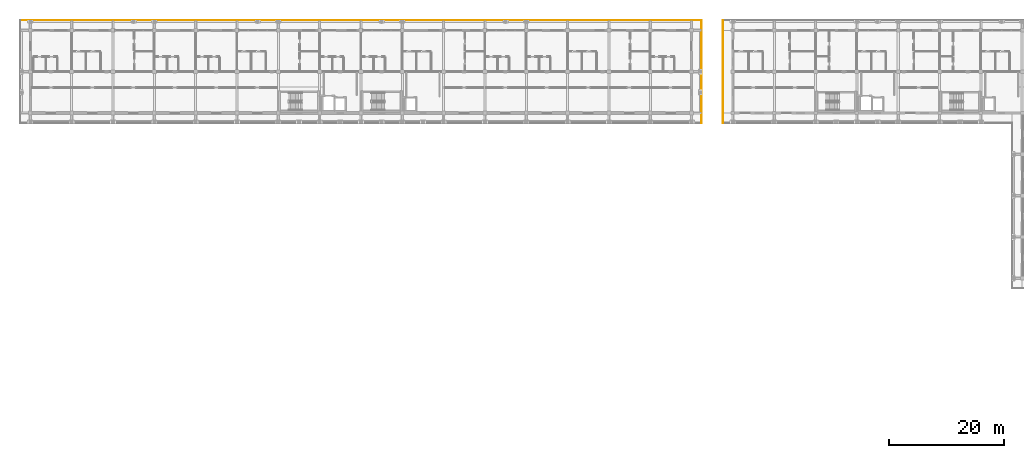
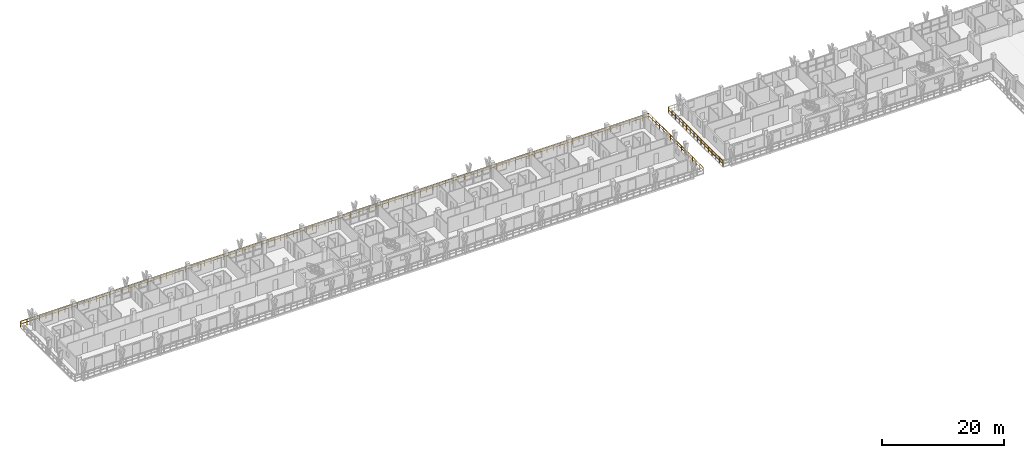
# One storey, part 69 of 76: 3 railings.
"""IFC4 building model written with IfcOpenShell, lengths in metres."""

from ifc_helpers import new_model, si_unit, direction, frame, origin, origin_2d, place, context, subcontext, project, spatial, rectangle, extrude, material, type_object, element, save


model = new_model("IFC4")

# Units and contexts
model_context = context("Model", 3, precision=1e-05, world=origin(), true_north=direction((0.0, 1.0)))
body_context = subcontext(model_context, "Body", "Model", "MODEL_VIEW")
ifc_project = project(units=[si_unit("LENGTHUNIT", "METRE"), si_unit("AREAUNIT", "SQUARE_METRE"), si_unit("VOLUMEUNIT", "CUBIC_METRE"), si_unit("PLANEANGLEUNIT", "RADIAN"), si_unit("MASSUNIT", "GRAM", prefix="KILO")], contexts=[model_context])

# Site, building, storey
site_placement = place(None, origin())
site = spatial("IfcSite", under=ifc_project, at=site_placement, CompositionType="ELEMENT")
building_placement = place(site_placement, origin())
building = spatial("IfcBuilding", under=site, at=building_placement, Name="Suanplinth Sawtooth Commons", CompositionType="ELEMENT")
storey_placement = place(building_placement, frame((0.0, 0.0, 12.199951171875)))
storey = spatial("IfcBuildingStorey", under=building, at=storey_placement, Name="L03", CompositionType="ELEMENT", Elevation=12.199951171875)

# Railings
ifc_material = material(Name="Powder-coated galvanized steel", Category="steel")
railing_type = type_object("IfcRailingType", Name="GR-01", PredefinedType="BALUSTRADE", material=ifc_material)
railing_1_placement = place(storey_placement, frame((-1.739990234375, 124.139892578125, 0.0)))
element("IfcRailing", 1, at=railing_1_placement, inside=storey, type_object=railing_type, Name="L03 Block A Perimeter Balustrade 2", PredefinedType="BALUSTRADE", context=body_context, shape_type="SweptSolid", body=[
    extrude(rectangle(XDim=0.048095703125, YDim=0.048095703125, at=origin_2d()), frame((0.0, 0.0, 1.09619140625), z_axis=(1.0, 0.0, 0.0), x_axis=(0.0, 1.0, 0.0)), (0.0, 0.0, 1.0), 118.679931640625),
    extrude(rectangle(XDim=0.03369140625, YDim=0.03369140625, at=origin_2d()), frame((0.0, 0.0, 0.56005859375), z_axis=(1.0, 0.0, 0.0), x_axis=(0.0, 1.0, 0.0)), (0.0, 0.0, 1.0), 118.679931640625),
    extrude(rectangle(XDim=0.0419921875, YDim=0.0419921875, at=origin_2d()), origin(), (0.0, 0.0, 1.0), 1.072021484375),
    extrude(rectangle(XDim=0.0419921875, YDim=0.0419921875, at=origin_2d()), frame((1.19873046875, 0.0, 0.0)), (0.0, 0.0, 1.0), 1.072021484375),
    extrude(rectangle(XDim=0.0419921875, YDim=0.0419921875, at=origin_2d()), frame((2.3974609375, 0.0, 0.0)), (0.0, 0.0, 1.0), 1.072021484375),
    extrude(rectangle(XDim=0.0419921875, YDim=0.0419921875, at=origin_2d()), frame((3.596435546875, 0.0, 0.0)), (0.0, 0.0, 1.0), 1.072021484375),
    extrude(rectangle(XDim=0.0419921875, YDim=0.0419921875, at=origin_2d()), frame((4.795166015625, 0.0, 0.0)), (0.0, 0.0, 1.0), 1.072021484375),
    extrude(rectangle(XDim=0.0419921875, YDim=0.0419921875, at=origin_2d()), frame((5.993896484375, 0.0, 0.0)), (0.0, 0.0, 1.0), 1.072021484375),
    extrude(rectangle(XDim=0.0419921875, YDim=0.0419921875, at=origin_2d()), frame((7.192626953125, 0.0, 0.0)), (0.0, 0.0, 1.0), 1.072021484375),
    extrude(rectangle(XDim=0.0419921875, YDim=0.0419921875, at=origin_2d()), frame((8.3916015625, 0.0, 0.0)), (0.0, 0.0, 1.0), 1.072021484375),
    extrude(rectangle(XDim=0.0419921875, YDim=0.0419921875, at=origin_2d()), frame((9.59033203125, 0.0, 0.0)), (0.0, 0.0, 1.0), 1.072021484375),
    extrude(rectangle(XDim=0.0419921875, YDim=0.0419921875, at=origin_2d()), frame((10.7890625, 0.0, 0.0)), (0.0, 0.0, 1.0), 1.072021484375),
    extrude(rectangle(XDim=0.0419921875, YDim=0.0419921875, at=origin_2d()), frame((11.98779296875, 0.0, 0.0)), (0.0, 0.0, 1.0), 1.072021484375),
    extrude(rectangle(XDim=0.0419921875, YDim=0.0419921875, at=origin_2d()), frame((13.186767578125, 0.0, 0.0)), (0.0, 0.0, 1.0), 1.072021484375),
    extrude(rectangle(XDim=0.0419921875, YDim=0.0419921875, at=origin_2d()), frame((14.385498046875, 0.0, 0.0)), (0.0, 0.0, 1.0), 1.072021484375),
    extrude(rectangle(XDim=0.0419921875, YDim=0.0419921875, at=origin_2d()), frame((15.584228515625, 0.0, 0.0)), (0.0, 0.0, 1.0), 1.072021484375),
    extrude(rectangle(XDim=0.0419921875, YDim=0.0419921875, at=origin_2d()), frame((16.782958984375, 0.0, 0.0)), (0.0, 0.0, 1.0), 1.072021484375),
    extrude(rectangle(XDim=0.0419921875, YDim=0.0419921875, at=origin_2d()), frame((17.981689453125, 0.0, 0.0)), (0.0, 0.0, 1.0), 1.072021484375),
    extrude(rectangle(XDim=0.0419921875, YDim=0.0419921875, at=origin_2d()), frame((19.1806640625, 0.0, 0.0)), (0.0, 0.0, 1.0), 1.072021484375),
    extrude(rectangle(XDim=0.0419921875, YDim=0.0419921875, at=origin_2d()), frame((20.37939453125, 0.0, 0.0)), (0.0, 0.0, 1.0), 1.072021484375),
    extrude(rectangle(XDim=0.0419921875, YDim=0.0419921875, at=origin_2d()), frame((21.578125, 0.0, 0.0)), (0.0, 0.0, 1.0), 1.072021484375),
    extrude(rectangle(XDim=0.0419921875, YDim=0.0419921875, at=origin_2d()), frame((22.77685546875, 0.0, 0.0)), (0.0, 0.0, 1.0), 1.072021484375),
    extrude(rectangle(XDim=0.0419921875, YDim=0.0419921875, at=origin_2d()), frame((23.975830078125, 0.0, 0.0)), (0.0, 0.0, 1.0), 1.072021484375),
    extrude(rectangle(XDim=0.0419921875, YDim=0.0419921875, at=origin_2d()), frame((25.174560546875, 0.0, 0.0)), (0.0, 0.0, 1.0), 1.072021484375),
    extrude(rectangle(XDim=0.0419921875, YDim=0.0419921875, at=origin_2d()), frame((26.373291015625, 0.0, 0.0)), (0.0, 0.0, 1.0), 1.072021484375),
    extrude(rectangle(XDim=0.0419921875, YDim=0.0419921875, at=origin_2d()), frame((27.572021484375, 0.0, 0.0)), (0.0, 0.0, 1.0), 1.072021484375),
    extrude(rectangle(XDim=0.0419921875, YDim=0.0419921875, at=origin_2d()), frame((28.77099609375, 0.0, 0.0)), (0.0, 0.0, 1.0), 1.072021484375),
    extrude(rectangle(XDim=0.0419921875, YDim=0.0419921875, at=origin_2d()), frame((29.9697265625, 0.0, 0.0)), (0.0, 0.0, 1.0), 1.072021484375),
    extrude(rectangle(XDim=0.0419921875, YDim=0.0419921875, at=origin_2d()), frame((31.16845703125, 0.0, 0.0)), (0.0, 0.0, 1.0), 1.072021484375),
    extrude(rectangle(XDim=0.0419921875, YDim=0.0419921875, at=origin_2d()), frame((32.3671875, 0.0, 0.0)), (0.0, 0.0, 1.0), 1.072021484375),
    extrude(rectangle(XDim=0.0419921875, YDim=0.0419921875, at=origin_2d()), frame((33.566162109375, 0.0, 0.0)), (0.0, 0.0, 1.0), 1.072021484375),
    extrude(rectangle(XDim=0.0419921875, YDim=0.0419921875, at=origin_2d()), frame((34.764892578125, 0.0, 0.0)), (0.0, 0.0, 1.0), 1.072021484375),
    extrude(rectangle(XDim=0.0419921875, YDim=0.0419921875, at=origin_2d()), frame((35.963623046875, 0.0, 0.0)), (0.0, 0.0, 1.0), 1.072021484375),
    extrude(rectangle(XDim=0.0419921875, YDim=0.0419921875, at=origin_2d()), frame((37.162353515625, 0.0, 0.0)), (0.0, 0.0, 1.0), 1.072021484375),
    extrude(rectangle(XDim=0.0419921875, YDim=0.0419921875, at=origin_2d()), frame((38.361083984375, 0.0, 0.0)), (0.0, 0.0, 1.0), 1.072021484375),
    extrude(rectangle(XDim=0.0419921875, YDim=0.0419921875, at=origin_2d()), frame((39.56005859375, 0.0, 0.0)), (0.0, 0.0, 1.0), 1.072021484375),
    extrude(rectangle(XDim=0.0419921875, YDim=0.0419921875, at=origin_2d()), frame((40.7587890625, 0.0, 0.0)), (0.0, 0.0, 1.0), 1.072021484375),
    extrude(rectangle(XDim=0.0419921875, YDim=0.0419921875, at=origin_2d()), frame((41.95751953125, 0.0, 0.0)), (0.0, 0.0, 1.0), 1.072021484375),
    extrude(rectangle(XDim=0.0419921875, YDim=0.0419921875, at=origin_2d()), frame((43.15625, 0.0, 0.0)), (0.0, 0.0, 1.0), 1.072021484375),
    extrude(rectangle(XDim=0.0419921875, YDim=0.0419921875, at=origin_2d()), frame((44.355224609375, 0.0, 0.0)), (0.0, 0.0, 1.0), 1.072021484375),
    extrude(rectangle(XDim=0.0419921875, YDim=0.0419921875, at=origin_2d()), frame((45.553955078125, 0.0, 0.0)), (0.0, 0.0, 1.0), 1.072021484375),
    extrude(rectangle(XDim=0.0419921875, YDim=0.0419921875, at=origin_2d()), frame((46.752685546875, 0.0, 0.0)), (0.0, 0.0, 1.0), 1.072021484375),
    extrude(rectangle(XDim=0.0419921875, YDim=0.0419921875, at=origin_2d()), frame((47.951416015625, 0.0, 0.0)), (0.0, 0.0, 1.0), 1.072021484375),
    extrude(rectangle(XDim=0.0419921875, YDim=0.0419921875, at=origin_2d()), frame((49.150390625, 0.0, 0.0)), (0.0, 0.0, 1.0), 1.072021484375),
    extrude(rectangle(XDim=0.0419921875, YDim=0.0419921875, at=origin_2d()), frame((50.34912109375, 0.0, 0.0)), (0.0, 0.0, 1.0), 1.072021484375),
    extrude(rectangle(XDim=0.0419921875, YDim=0.0419921875, at=origin_2d()), frame((51.5478515625, 0.0, 0.0)), (0.0, 0.0, 1.0), 1.072021484375),
    extrude(rectangle(XDim=0.0419921875, YDim=0.0419921875, at=origin_2d()), frame((52.74658203125, 0.0, 0.0)), (0.0, 0.0, 1.0), 1.072021484375),
    extrude(rectangle(XDim=0.0419921875, YDim=0.0419921875, at=origin_2d()), frame((53.9453125, 0.0, 0.0)), (0.0, 0.0, 1.0), 1.072021484375),
    extrude(rectangle(XDim=0.0419921875, YDim=0.0419921875, at=origin_2d()), frame((55.144287109375, 0.0, 0.0)), (0.0, 0.0, 1.0), 1.072021484375),
    extrude(rectangle(XDim=0.0419921875, YDim=0.0419921875, at=origin_2d()), frame((56.343017578125, 0.0, 0.0)), (0.0, 0.0, 1.0), 1.072021484375),
    extrude(rectangle(XDim=0.0419921875, YDim=0.0419921875, at=origin_2d()), frame((57.541748046875, 0.0, 0.0)), (0.0, 0.0, 1.0), 1.072021484375),
    extrude(rectangle(XDim=0.0419921875, YDim=0.0419921875, at=origin_2d()), frame((58.740478515625, 0.0, 0.0)), (0.0, 0.0, 1.0), 1.072021484375),
    extrude(rectangle(XDim=0.0419921875, YDim=0.0419921875, at=origin_2d()), frame((59.939453125, 0.0, 0.0)), (0.0, 0.0, 1.0), 1.072021484375),
    extrude(rectangle(XDim=0.0419921875, YDim=0.0419921875, at=origin_2d()), frame((61.13818359375, 0.0, 0.0)), (0.0, 0.0, 1.0), 1.072021484375),
    extrude(rectangle(XDim=0.0419921875, YDim=0.0419921875, at=origin_2d()), frame((62.3369140625, 0.0, 0.0)), (0.0, 0.0, 1.0), 1.072021484375),
    extrude(rectangle(XDim=0.0419921875, YDim=0.0419921875, at=origin_2d()), frame((63.53564453125, 0.0, 0.0)), (0.0, 0.0, 1.0), 1.072021484375),
    extrude(rectangle(XDim=0.0419921875, YDim=0.0419921875, at=origin_2d()), frame((64.734619140625, 0.0, 0.0)), (0.0, 0.0, 1.0), 1.072021484375),
    extrude(rectangle(XDim=0.0419921875, YDim=0.0419921875, at=origin_2d()), frame((65.933349609375, 0.0, 0.0)), (0.0, 0.0, 1.0), 1.072021484375),
    extrude(rectangle(XDim=0.0419921875, YDim=0.0419921875, at=origin_2d()), frame((67.132080078125, 0.0, 0.0)), (0.0, 0.0, 1.0), 1.072021484375),
    extrude(rectangle(XDim=0.0419921875, YDim=0.0419921875, at=origin_2d()), frame((68.330810546875, 0.0, 0.0)), (0.0, 0.0, 1.0), 1.072021484375),
    extrude(rectangle(XDim=0.0419921875, YDim=0.0419921875, at=origin_2d()), frame((69.529541015625, 0.0, 0.0)), (0.0, 0.0, 1.0), 1.072021484375),
    extrude(rectangle(XDim=0.0419921875, YDim=0.0419921875, at=origin_2d()), frame((70.728515625, 0.0, 0.0)), (0.0, 0.0, 1.0), 1.072021484375),
    extrude(rectangle(XDim=0.0419921875, YDim=0.0419921875, at=origin_2d()), frame((71.92724609375, 0.0, 0.0)), (0.0, 0.0, 1.0), 1.072021484375),
    extrude(rectangle(XDim=0.0419921875, YDim=0.0419921875, at=origin_2d()), frame((73.1259765625, 0.0, 0.0)), (0.0, 0.0, 1.0), 1.072021484375),
    extrude(rectangle(XDim=0.0419921875, YDim=0.0419921875, at=origin_2d()), frame((74.32470703125, 0.0, 0.0)), (0.0, 0.0, 1.0), 1.072021484375),
    extrude(rectangle(XDim=0.0419921875, YDim=0.0419921875, at=origin_2d()), frame((75.523681640625, 0.0, 0.0)), (0.0, 0.0, 1.0), 1.072021484375),
    extrude(rectangle(XDim=0.0419921875, YDim=0.0419921875, at=origin_2d()), frame((76.722412109375, 0.0, 0.0)), (0.0, 0.0, 1.0), 1.072021484375),
    extrude(rectangle(XDim=0.0419921875, YDim=0.0419921875, at=origin_2d()), frame((77.921142578125, 0.0, 0.0)), (0.0, 0.0, 1.0), 1.072021484375),
    extrude(rectangle(XDim=0.0419921875, YDim=0.0419921875, at=origin_2d()), frame((79.119873046875, 0.0, 0.0)), (0.0, 0.0, 1.0), 1.072021484375),
    extrude(rectangle(XDim=0.0419921875, YDim=0.0419921875, at=origin_2d()), frame((80.31884765625, 0.0, 0.0)), (0.0, 0.0, 1.0), 1.072021484375),
    extrude(rectangle(XDim=0.0419921875, YDim=0.0419921875, at=origin_2d()), frame((81.517578125, 0.0, 0.0)), (0.0, 0.0, 1.0), 1.072021484375),
    extrude(rectangle(XDim=0.0419921875, YDim=0.0419921875, at=origin_2d()), frame((82.71630859375, 0.0, 0.0)), (0.0, 0.0, 1.0), 1.072021484375),
    extrude(rectangle(XDim=0.0419921875, YDim=0.0419921875, at=origin_2d()), frame((83.9150390625, 0.0, 0.0)), (0.0, 0.0, 1.0), 1.072021484375),
    extrude(rectangle(XDim=0.0419921875, YDim=0.0419921875, at=origin_2d()), frame((85.11376953125, 0.0, 0.0)), (0.0, 0.0, 1.0), 1.072021484375),
    extrude(rectangle(XDim=0.0419921875, YDim=0.0419921875, at=origin_2d()), frame((86.312744140625, 0.0, 0.0)), (0.0, 0.0, 1.0), 1.072021484375),
    extrude(rectangle(XDim=0.0419921875, YDim=0.0419921875, at=origin_2d()), frame((87.511474609375, 0.0, 0.0)), (0.0, 0.0, 1.0), 1.072021484375),
    extrude(rectangle(XDim=0.0419921875, YDim=0.0419921875, at=origin_2d()), frame((88.710205078125, 0.0, 0.0)), (0.0, 0.0, 1.0), 1.072021484375),
    extrude(rectangle(XDim=0.0419921875, YDim=0.0419921875, at=origin_2d()), frame((89.908935546875, 0.0, 0.0)), (0.0, 0.0, 1.0), 1.072021484375),
    extrude(rectangle(XDim=0.0419921875, YDim=0.0419921875, at=origin_2d()), frame((91.10791015625, 0.0, 0.0)), (0.0, 0.0, 1.0), 1.072021484375),
    extrude(rectangle(XDim=0.0419921875, YDim=0.0419921875, at=origin_2d()), frame((92.306640625, 0.0, 0.0)), (0.0, 0.0, 1.0), 1.072021484375),
    extrude(rectangle(XDim=0.0419921875, YDim=0.0419921875, at=origin_2d()), frame((93.50537109375, 0.0, 0.0)), (0.0, 0.0, 1.0), 1.072021484375),
    extrude(rectangle(XDim=0.0419921875, YDim=0.0419921875, at=origin_2d()), frame((94.7041015625, 0.0, 0.0)), (0.0, 0.0, 1.0), 1.072021484375),
    extrude(rectangle(XDim=0.0419921875, YDim=0.0419921875, at=origin_2d()), frame((95.903076171875, 0.0, 0.0)), (0.0, 0.0, 1.0), 1.072021484375),
    extrude(rectangle(XDim=0.0419921875, YDim=0.0419921875, at=origin_2d()), frame((97.101806640625, 0.0, 0.0)), (0.0, 0.0, 1.0), 1.072021484375),
    extrude(rectangle(XDim=0.0419921875, YDim=0.0419921875, at=origin_2d()), frame((98.300537109375, 0.0, 0.0)), (0.0, 0.0, 1.0), 1.072021484375),
    extrude(rectangle(XDim=0.0419921875, YDim=0.0419921875, at=origin_2d()), frame((99.499267578125, 0.0, 0.0)), (0.0, 0.0, 1.0), 1.072021484375),
    extrude(rectangle(XDim=0.0419921875, YDim=0.0419921875, at=origin_2d()), frame((100.6982421875, 0.0, 0.0)), (0.0, 0.0, 1.0), 1.072021484375),
    extrude(rectangle(XDim=0.0419921875, YDim=0.0419921875, at=origin_2d()), frame((101.89697265625, 0.0, 0.0)), (0.0, 0.0, 1.0), 1.072021484375),
    extrude(rectangle(XDim=0.0419921875, YDim=0.0419921875, at=origin_2d()), frame((103.095703125, 0.0, 0.0)), (0.0, 0.0, 1.0), 1.072021484375),
    extrude(rectangle(XDim=0.0419921875, YDim=0.0419921875, at=origin_2d()), frame((104.29443359375, 0.0, 0.0)), (0.0, 0.0, 1.0), 1.072021484375),
    extrude(rectangle(XDim=0.0419921875, YDim=0.0419921875, at=origin_2d()), frame((105.4931640625, 0.0, 0.0)), (0.0, 0.0, 1.0), 1.072021484375),
    extrude(rectangle(XDim=0.0419921875, YDim=0.0419921875, at=origin_2d()), frame((106.692138671875, 0.0, 0.0)), (0.0, 0.0, 1.0), 1.072021484375),
    extrude(rectangle(XDim=0.0419921875, YDim=0.0419921875, at=origin_2d()), frame((107.890869140625, 0.0, 0.0)), (0.0, 0.0, 1.0), 1.072021484375),
    extrude(rectangle(XDim=0.0419921875, YDim=0.0419921875, at=origin_2d()), frame((109.089599609375, 0.0, 0.0)), (0.0, 0.0, 1.0), 1.072021484375),
    extrude(rectangle(XDim=0.0419921875, YDim=0.0419921875, at=origin_2d()), frame((110.288330078125, 0.0, 0.0)), (0.0, 0.0, 1.0), 1.072021484375),
    extrude(rectangle(XDim=0.0419921875, YDim=0.0419921875, at=origin_2d()), frame((111.4873046875, 0.0, 0.0)), (0.0, 0.0, 1.0), 1.072021484375),
    extrude(rectangle(XDim=0.0419921875, YDim=0.0419921875, at=origin_2d()), frame((112.68603515625, 0.0, 0.0)), (0.0, 0.0, 1.0), 1.072021484375),
    extrude(rectangle(XDim=0.0419921875, YDim=0.0419921875, at=origin_2d()), frame((113.884765625, 0.0, 0.0)), (0.0, 0.0, 1.0), 1.072021484375),
    extrude(rectangle(XDim=0.0419921875, YDim=0.0419921875, at=origin_2d()), frame((115.08349609375, 0.0, 0.0)), (0.0, 0.0, 1.0), 1.072021484375),
    extrude(rectangle(XDim=0.0419921875, YDim=0.0419921875, at=origin_2d()), frame((116.282470703125, 0.0, 0.0)), (0.0, 0.0, 1.0), 1.072021484375),
    extrude(rectangle(XDim=0.0419921875, YDim=0.0419921875, at=origin_2d()), frame((117.481201171875, 0.0, 0.0)), (0.0, 0.0, 1.0), 1.072021484375),
    extrude(rectangle(XDim=0.0419921875, YDim=0.0419921875, at=origin_2d()), frame((118.679931640625, 0.0, 0.0)), (0.0, 0.0, 1.0), 1.072021484375),
])
railing_2_placement = place(storey_placement, frame((116.93994140625, 124.139892578125, 0.0)))
element("IfcRailing", 2, at=railing_2_placement, inside=storey, type_object=railing_type, Name="L03 Block A Perimeter Balustrade 3", PredefinedType="BALUSTRADE", context=body_context, shape_type="SweptSolid", body=[
    extrude(rectangle(XDim=0.048095703125, YDim=0.048095703125, at=origin_2d()), frame((0.0, 0.0, 1.09619140625), z_axis=(0.0, -1.0, 0.0), x_axis=(1.0, 0.0, 0.0)), (0.0, 0.0, 1.0), 17.8798828125),
    extrude(rectangle(XDim=0.03369140625, YDim=0.03369140625, at=origin_2d()), frame((0.0, 0.0, 0.56005859375), z_axis=(0.0, -1.0, 0.0), x_axis=(1.0, 0.0, 0.0)), (0.0, 0.0, 1.0), 17.8798828125),
    extrude(rectangle(XDim=0.0419921875, YDim=0.0419921875, at=origin_2d()), origin(), (0.0, 0.0, 1.0), 1.072021484375),
    extrude(rectangle(XDim=0.0419921875, YDim=0.0419921875, at=origin_2d()), frame((0.0, -1.19189453125, 0.0)), (0.0, 0.0, 1.0), 1.072021484375),
    extrude(rectangle(XDim=0.0419921875, YDim=0.0419921875, at=origin_2d()), frame((0.0, -2.384033203125, 0.0)), (0.0, 0.0, 1.0), 1.072021484375),
    extrude(rectangle(XDim=0.0419921875, YDim=0.0419921875, at=origin_2d()), frame((0.0, -3.575927734375, 0.0)), (0.0, 0.0, 1.0), 1.072021484375),
    extrude(rectangle(XDim=0.0419921875, YDim=0.0419921875, at=origin_2d()), frame((0.0, -4.76806640625, 0.0)), (0.0, 0.0, 1.0), 1.072021484375),
    extrude(rectangle(XDim=0.0419921875, YDim=0.0419921875, at=origin_2d()), frame((0.0, -5.9599609375, 0.0)), (0.0, 0.0, 1.0), 1.072021484375),
    extrude(rectangle(XDim=0.0419921875, YDim=0.0419921875, at=origin_2d()), frame((0.0, -7.15185546875, 0.0)), (0.0, 0.0, 1.0), 1.072021484375),
    extrude(rectangle(XDim=0.0419921875, YDim=0.0419921875, at=origin_2d()), frame((0.0, -8.343994140625, 0.0)), (0.0, 0.0, 1.0), 1.072021484375),
    extrude(rectangle(XDim=0.0419921875, YDim=0.0419921875, at=origin_2d()), frame((0.0, -9.535888671875, 0.0)), (0.0, 0.0, 1.0), 1.072021484375),
    extrude(rectangle(XDim=0.0419921875, YDim=0.0419921875, at=origin_2d()), frame((0.0, -10.72802734375, 0.0)), (0.0, 0.0, 1.0), 1.072021484375),
    extrude(rectangle(XDim=0.0419921875, YDim=0.0419921875, at=origin_2d()), frame((0.0, -11.919921875, 0.0)), (0.0, 0.0, 1.0), 1.072021484375),
    extrude(rectangle(XDim=0.0419921875, YDim=0.0419921875, at=origin_2d()), frame((0.0, -13.11181640625, 0.0)), (0.0, 0.0, 1.0), 1.072021484375),
    extrude(rectangle(XDim=0.0419921875, YDim=0.0419921875, at=origin_2d()), frame((0.0, -14.303955078125, 0.0)), (0.0, 0.0, 1.0), 1.072021484375),
    extrude(rectangle(XDim=0.0419921875, YDim=0.0419921875, at=origin_2d()), frame((0.0, -15.495849609375, 0.0)), (0.0, 0.0, 1.0), 1.072021484375),
    extrude(rectangle(XDim=0.0419921875, YDim=0.0419921875, at=origin_2d()), frame((0.0, -16.68798828125, 0.0)), (0.0, 0.0, 1.0), 1.072021484375),
    extrude(rectangle(XDim=0.0419921875, YDim=0.0419921875, at=origin_2d()), frame((0.0, -17.8798828125, 0.0)), (0.0, 0.0, 1.0), 1.072021484375),
])
railing_3_placement = place(storey_placement, frame((120.659912109375, 106.260009765625, 0.0)))
element("IfcRailing", 3, at=railing_3_placement, inside=storey, type_object=railing_type, Name="L03 Block B Perimeter Balustrade 3", PredefinedType="BALUSTRADE", context=body_context, shape_type="SweptSolid", body=[
    extrude(rectangle(XDim=0.048095703125, YDim=0.048095703125, at=origin_2d()), frame((0.0, 0.0, 1.09619140625), z_axis=(0.0, 1.0, 0.0), x_axis=(-1.0, 0.0, 0.0)), (0.0, 0.0, 1.0), 17.8798828125),
    extrude(rectangle(XDim=0.03369140625, YDim=0.03369140625, at=origin_2d()), frame((0.0, 0.0, 0.56005859375), z_axis=(0.0, 1.0, 0.0), x_axis=(-1.0, 0.0, 0.0)), (0.0, 0.0, 1.0), 17.8798828125),
    extrude(rectangle(XDim=0.0419921875, YDim=0.0419921875, at=origin_2d()), origin(), (0.0, 0.0, 1.0), 1.072021484375),
    extrude(rectangle(XDim=0.0419921875, YDim=0.0419921875, at=origin_2d()), frame((0.0, 1.19189453125, 0.0)), (0.0, 0.0, 1.0), 1.072021484375),
    extrude(rectangle(XDim=0.0419921875, YDim=0.0419921875, at=origin_2d()), frame((0.0, 2.384033203125, 0.0)), (0.0, 0.0, 1.0), 1.072021484375),
    extrude(rectangle(XDim=0.0419921875, YDim=0.0419921875, at=origin_2d()), frame((0.0, 3.575927734375, 0.0)), (0.0, 0.0, 1.0), 1.072021484375),
    extrude(rectangle(XDim=0.0419921875, YDim=0.0419921875, at=origin_2d()), frame((0.0, 4.76806640625, 0.0)), (0.0, 0.0, 1.0), 1.072021484375),
    extrude(rectangle(XDim=0.0419921875, YDim=0.0419921875, at=origin_2d()), frame((0.0, 5.9599609375, 0.0)), (0.0, 0.0, 1.0), 1.072021484375),
    extrude(rectangle(XDim=0.0419921875, YDim=0.0419921875, at=origin_2d()), frame((0.0, 7.15185546875, 0.0)), (0.0, 0.0, 1.0), 1.072021484375),
    extrude(rectangle(XDim=0.0419921875, YDim=0.0419921875, at=origin_2d()), frame((0.0, 8.343994140625, 0.0)), (0.0, 0.0, 1.0), 1.072021484375),
    extrude(rectangle(XDim=0.0419921875, YDim=0.0419921875, at=origin_2d()), frame((0.0, 9.535888671875, 0.0)), (0.0, 0.0, 1.0), 1.072021484375),
    extrude(rectangle(XDim=0.0419921875, YDim=0.0419921875, at=origin_2d()), frame((0.0, 10.72802734375, 0.0)), (0.0, 0.0, 1.0), 1.072021484375),
    extrude(rectangle(XDim=0.0419921875, YDim=0.0419921875, at=origin_2d()), frame((0.0, 11.919921875, 0.0)), (0.0, 0.0, 1.0), 1.072021484375),
    extrude(rectangle(XDim=0.0419921875, YDim=0.0419921875, at=origin_2d()), frame((0.0, 13.11181640625, 0.0)), (0.0, 0.0, 1.0), 1.072021484375),
    extrude(rectangle(XDim=0.0419921875, YDim=0.0419921875, at=origin_2d()), frame((0.0, 14.303955078125, 0.0)), (0.0, 0.0, 1.0), 1.072021484375),
    extrude(rectangle(XDim=0.0419921875, YDim=0.0419921875, at=origin_2d()), frame((0.0, 15.495849609375, 0.0)), (0.0, 0.0, 1.0), 1.072021484375),
    extrude(rectangle(XDim=0.0419921875, YDim=0.0419921875, at=origin_2d()), frame((0.0, 16.68798828125, 0.0)), (0.0, 0.0, 1.0), 1.072021484375),
    extrude(rectangle(XDim=0.0419921875, YDim=0.0419921875, at=origin_2d()), frame((0.0, 17.8798828125, 0.0)), (0.0, 0.0, 1.0), 1.072021484375),
])

save(model, "model.ifc")
